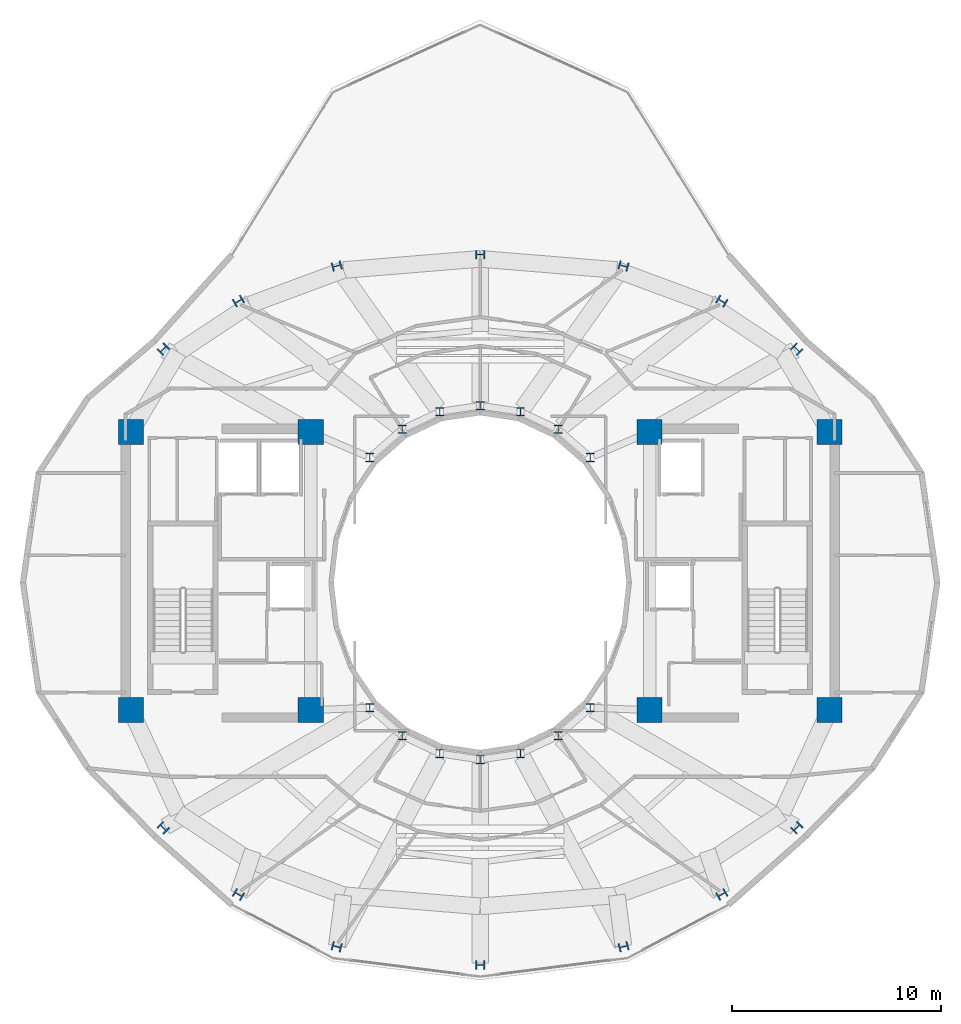
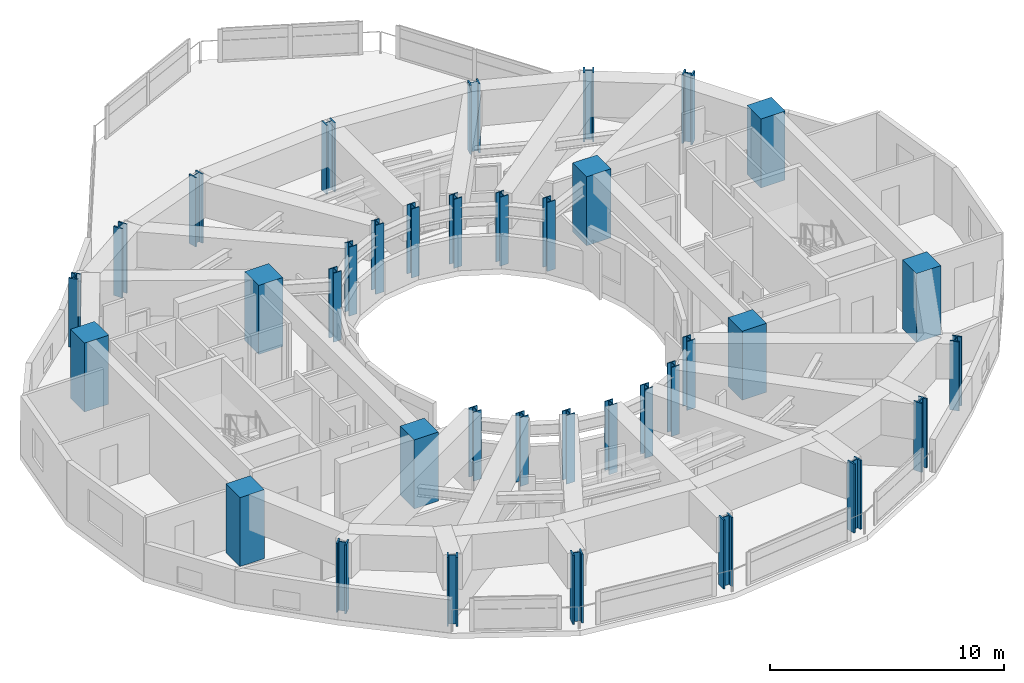
# One storey, part 1 of 21: 36 columns.
"""IFC4 building model written with IfcOpenShell, lengths in metres."""

from ifc_helpers import new_model, si_unit, direction, frame, origin, origin_2d, place, context, subcontext, project, spatial, rectangle, i_section, extrude, material, material_profile, profile_set, type_object, element, save


model = new_model("IFC4")

# Units and contexts
model_context = context("Model", 3, precision=1e-05, world=origin(), true_north=direction((0.0, 1.0)))
body_context = subcontext(model_context, "Body", "Model", "MODEL_VIEW")
ifc_project = project(units=[si_unit("LENGTHUNIT", "METRE"), si_unit("AREAUNIT", "SQUARE_METRE"), si_unit("VOLUMEUNIT", "CUBIC_METRE"), si_unit("PLANEANGLEUNIT", "RADIAN"), si_unit("MASSUNIT", "GRAM", prefix="KILO")], contexts=[model_context])

# Site, building, storey
site_placement = place(None, origin())
site = spatial("IfcSite", under=ifc_project, at=site_placement, CompositionType="ELEMENT")
building_placement = place(site_placement, origin())
building = spatial("IfcBuilding", under=site, at=building_placement, Name="Solvane Sanctuary Tower", CompositionType="ELEMENT")
storey_placement = place(building_placement, frame((0.0, 0.0, 256.800048828125)))
storey = spatial("IfcBuildingStorey", under=building, at=storey_placement, Name="L78", CompositionType="ELEMENT", Elevation=256.800048828125)

# Columns
ifc_material_1 = material(Name="Steel ASTM A913 Grade 65", Category="steel")
ifc_material_profile_1 = material_profile(ifc_material_1, i_section(OverallWidth=0.422119140625, OverallDepth=0.465087890625, WebThickness=0.044921875, FlangeThickness=0.072509765625, FilletRadius=0.02490234375, at=origin_2d()), Name="W14X398")
ifc_profile_set_1 = profile_set([ifc_material_profile_1], Name="Steel ASTM A913 Grade 65")
column_type_1 = type_object("IfcColumnType", Name="Column C-CANT W14X398", PredefinedType="COLUMN", material=ifc_profile_set_1)
for number, where, z_axis, x_axis, name in (
    (1, (47.14501953125, 34.159423828125, 0.0), (0.0, 0.0, 1.0), (0.707106781187, 0.707106781187, 0.0), "L78 Perimeter Tube Column TC01"),
    (2, (43.55517578125, 36.45703125, 0.0), (0.0, 0.0, 1.0), (0.5, 0.866025403784, 0.0), "L78 Perimeter Tube Column TC02"),
    (3, (38.856201171875, 38.13818359375, 0.0), (0.0, 0.0, 1.0), (0.258819045103, 0.965925826289, 0.0), "L78 Perimeter Tube Column TC03"),
    (4, (32.0, 38.679931640625, 0.0), (0.0, 0.0, 1.0), (0.0, 1.0, 0.0), "L78 Perimeter Tube Column TC04"),
    (5, (25.143798828125, 38.13818359375, 0.0), (0.0, 0.0, 1.0), (-0.258819045103, 0.965925826289, 0.0), "L78 Perimeter Tube Column TC05"),
    (6, (20.44482421875, 36.45703125, 0.0), (0.0, 0.0, 1.0), (-0.5, 0.866025403784, 0.0), "L78 Perimeter Tube Column TC06"),
    (7, (16.85498046875, 34.159423828125, 0.0), (0.0, 0.0, 1.0), (-0.707106781187, 0.707106781187, 0.0), "L78 Perimeter Tube Column TC07"),
    (8, (16.85498046875, 11.279052734375, 0.0), (0.0, 0.0, 1.0), (-0.707106781187, -0.707106781187, 0.0), "L78 Perimeter Tube Column TC08"),
    (9, (20.44482421875, 8.086181640625, 0.0), (0.0, 0.0, 1.0), (-0.5, -0.866025403784, 0.0), "L78 Perimeter Tube Column TC09"),
    (10, (25.143798828125, 5.588623046875, 0.0), (0.0, 0.0, 1.0), (-0.258819045103, -0.965925826289, 0.0), "L78 Perimeter Tube Column TC10"),
    (11, (32.0, 4.719970703125, 0.0), (0.0, 0.0, 1.0), (0.0, -1.0, 0.0), "L78 Perimeter Tube Column TC11"),
    (12, (38.856201171875, 5.588623046875, 0.0), (0.0, 0.0, 1.0), (0.258819045103, -0.965925826289, 0.0), "L78 Perimeter Tube Column TC12"),
    (13, (43.55517578125, 8.086181640625, 0.0), (0.0, 0.0, 1.0), (0.5, -0.866025403784, 0.0), "L78 Perimeter Tube Column TC13"),
    (14, (47.14501953125, 11.279052734375, 0.0), (0.0, 0.0, 1.0), (0.707106781187, -0.707106781187, 0.0), "L78 Perimeter Tube Column TC14"),
):
    element("IfcColumn", number, at=place(storey_placement, frame(where, z_axis=z_axis, x_axis=x_axis)), inside=storey, type_object=column_type_1, Name=name, PredefinedType="COLUMN", context=body_context, shape_type="SweptSolid", body=[
        extrude(i_section(OverallWidth=0.422119140625, OverallDepth=0.465087890625, WebThickness=0.044921875, FlangeThickness=0.072509765625, FilletRadius=0.02490234375, at=origin_2d()), origin(), (0.0, 0.0, 1.0), 3.599853515625),
    ])
ifc_material_profile_2 = material_profile(ifc_material_1, i_section(OverallWidth=0.404052734375, OverallDepth=0.406982421875, WebThickness=0.027099609375, FlangeThickness=0.043701171875, FilletRadius=0.02490234375, at=origin_2d()), Name="W14X233")
ifc_profile_set_2 = profile_set([ifc_material_profile_2], Name="Steel ASTM A913 Grade 65")
column_type_2 = type_object("IfcColumnType", Name="Column C-LOUNGE W14X233", PredefinedType="COLUMN", material=ifc_profile_set_2)
for number, where, z_axis, x_axis, name in (
    (15, (37.27490234375, 28.982177734375, 0.0), (0.0, 0.0, 1.0), (1.0, 0.0, 0.0), "L78 Inner Light-Well Ring Column IC01"),
    (16, (35.72998046875, 30.32666015625, 0.0), (0.0, 0.0, 1.0), (1.0, 0.0, 0.0), "L78 Inner Light-Well Ring Column IC02"),
    (17, (33.930908203125, 31.171630859375, 0.0), (0.0, 0.0, 1.0), (1.0, 0.0, 0.0), "L78 Inner Light-Well Ring Column IC03"),
    (18, (32.0, 31.4599609375, 0.0), (0.0, 0.0, 1.0), (1.0, 0.0, 0.0), "L78 Inner Light-Well Ring Column IC04"),
    (19, (30.069091796875, 31.171630859375, 0.0), (0.0, 0.0, 1.0), (1.0, 0.0, 0.0), "L78 Inner Light-Well Ring Column IC05"),
    (20, (28.27001953125, 30.32666015625, 0.0), (0.0, 0.0, 1.0), (1.0, 0.0, 0.0), "L78 Inner Light-Well Ring Column IC06"),
    (21, (26.72509765625, 28.982177734375, 0.0), (0.0, 0.0, 1.0), (1.0, 0.0, 0.0), "L78 Inner Light-Well Ring Column IC07"),
    (22, (26.72509765625, 17.017822265625, 0.0), (0.0, 0.0, 1.0), (1.0, 0.0, 0.0), "L78 Inner Light-Well Ring Column IC08"),
    (23, (28.27001953125, 15.67333984375, 0.0), (0.0, 0.0, 1.0), (1.0, 0.0, 0.0), "L78 Inner Light-Well Ring Column IC09"),
    (24, (30.069091796875, 14.828369140625, 0.0), (0.0, 0.0, 1.0), (1.0, 0.0, 0.0), "L78 Inner Light-Well Ring Column IC10"),
    (25, (32.0, 14.5400390625, 0.0), (0.0, 0.0, 1.0), (1.0, 0.0, 0.0), "L78 Inner Light-Well Ring Column IC11"),
    (26, (33.930908203125, 14.828369140625, 0.0), (0.0, 0.0, 1.0), (1.0, 0.0, 0.0), "L78 Inner Light-Well Ring Column IC12"),
    (27, (35.72998046875, 15.67333984375, 0.0), (0.0, 0.0, 1.0), (1.0, 0.0, 0.0), "L78 Inner Light-Well Ring Column IC13"),
    (28, (37.27490234375, 17.017822265625, 0.0), (0.0, 0.0, 1.0), (1.0, 0.0, 0.0), "L78 Inner Light-Well Ring Column IC14"),
):
    element("IfcColumn", number, at=place(storey_placement, frame(where, z_axis=z_axis, x_axis=x_axis)), inside=storey, type_object=column_type_2, Name=name, PredefinedType="COLUMN", context=body_context, shape_type="SweptSolid", body=[
        extrude(i_section(OverallWidth=0.404052734375, OverallDepth=0.406982421875, WebThickness=0.027099609375, FlangeThickness=0.043701171875, FilletRadius=0.02490234375, at=origin_2d()), origin(), (0.0, 0.0, 1.0), 3.599853515625),
    ])
ifc_material_2 = material(Name="Concrete C70/85", Category="concrete")
ifc_material_profile_3 = material_profile(ifc_material_2, rectangle(XDim=1.199951171875, YDim=1.199951171875, at=origin_2d()), Name="RC1200X1200")
ifc_profile_set_3 = profile_set([ifc_material_profile_3], Name="Concrete C70/85")
column_type_3 = type_object("IfcColumnType", Name="Column C-TUBE-Z1 RC1200X1200", PredefinedType="COLUMN", material=ifc_profile_set_3)
for number, where, z_axis, x_axis, name in (
    (29, (15.300048828125, 16.89990234375, 0.0), (0.0, 0.0, 1.0), (1.0, 0.0, 0.0), "L78 Core Corner Column CW1"),
    (30, (23.89990234375, 16.89990234375, 0.0), (0.0, 0.0, 1.0), (1.0, 0.0, 0.0), "L78 Core Corner Column CW2"),
    (31, (23.89990234375, 30.199951171875, 0.0), (0.0, 0.0, 1.0), (1.0, 0.0, 0.0), "L78 Core Corner Column CW3"),
    (32, (15.300048828125, 30.199951171875, 0.0), (0.0, 0.0, 1.0), (1.0, 0.0, 0.0), "L78 Core Corner Column CW4"),
    (33, (40.10009765625, 16.89990234375, 0.0), (0.0, 0.0, 1.0), (1.0, 0.0, 0.0), "L78 Core Corner Column CE1"),
    (34, (48.699951171875, 16.89990234375, 0.0), (0.0, 0.0, 1.0), (1.0, 0.0, 0.0), "L78 Core Corner Column CE2"),
    (35, (48.699951171875, 30.199951171875, 0.0), (0.0, 0.0, 1.0), (1.0, 0.0, 0.0), "L78 Core Corner Column CE3"),
    (36, (40.10009765625, 30.199951171875, 0.0), (0.0, 0.0, 1.0), (1.0, 0.0, 0.0), "L78 Core Corner Column CE4"),
):
    element("IfcColumn", number, at=place(storey_placement, frame(where, z_axis=z_axis, x_axis=x_axis)), inside=storey, type_object=column_type_3, Name=name, PredefinedType="COLUMN", context=body_context, shape_type="SweptSolid", body=[
        extrude(rectangle(XDim=1.199951171875, YDim=1.199951171875, at=origin_2d()), origin(), (0.0, 0.0, 1.0), 3.599853515625),
    ])

save(model, "model.ifc")
